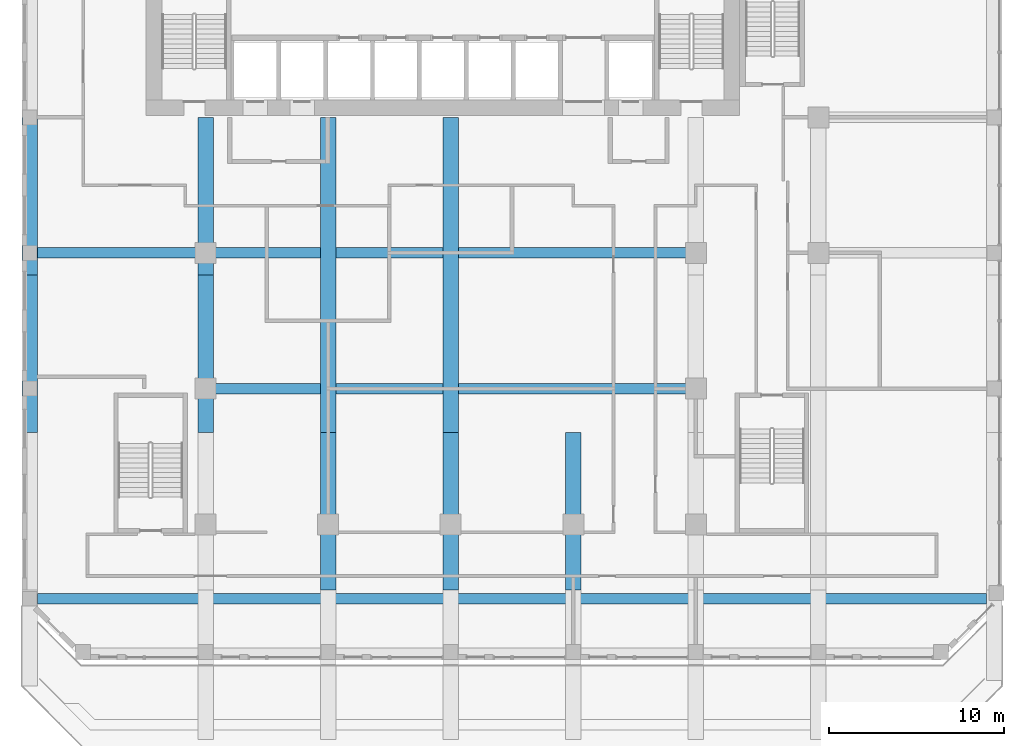
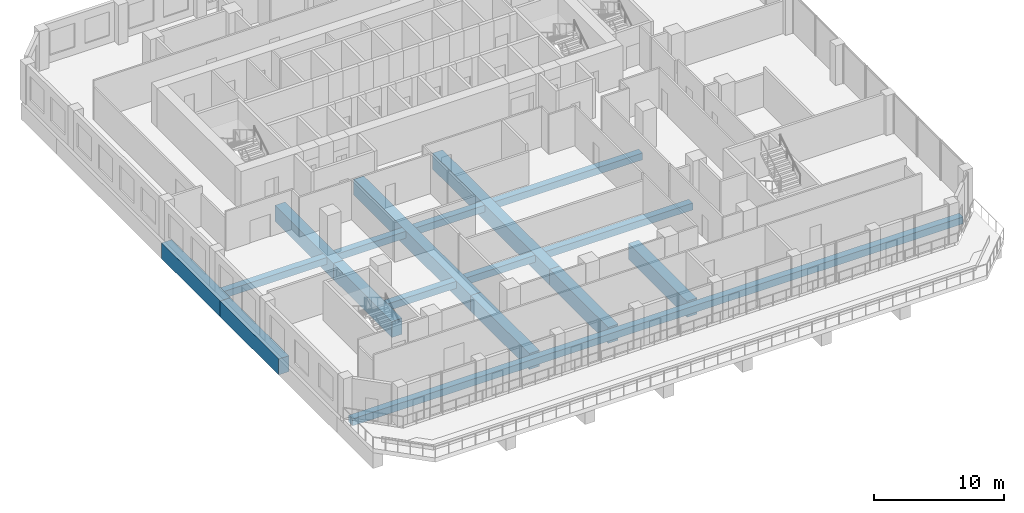
# One storey, part 3 of 17: 13 beams.
"""IFC4 building model written with IfcOpenShell, lengths in metres."""

from ifc_helpers import new_model, si_unit, direction, frame, origin, origin_2d, place, context, subcontext, project, spatial, rectangle, extrude, source, transform, mapped, material, material_profile, profile_set, type_object, element, save


model = new_model("IFC4")

# Units and contexts
model_context = context("Model", 3, precision=1e-05, world=origin(), true_north=direction((0.0, 1.0)))
body_context = subcontext(model_context, "Body", "Model", "MODEL_VIEW")
ifc_project = project(units=[si_unit("LENGTHUNIT", "METRE"), si_unit("AREAUNIT", "SQUARE_METRE"), si_unit("VOLUMEUNIT", "CUBIC_METRE"), si_unit("PLANEANGLEUNIT", "RADIAN"), si_unit("MASSUNIT", "GRAM", prefix="KILO")], contexts=[model_context])

# Site, building, storey
site_placement = place(None, origin())
site = spatial("IfcSite", under=ifc_project, at=site_placement, CompositionType="ELEMENT")
building_placement = place(site_placement, origin())
building = spatial("IfcBuilding", under=site, at=building_placement, Name="Kilnfold Tower and Market Hall", CompositionType="ELEMENT")
storey_placement = place(building_placement, frame((0.0, 0.0, 100.60009765625)))
storey = spatial("IfcBuildingStorey", under=building, at=storey_placement, Name="L23", CompositionType="ELEMENT", Elevation=100.60009765625)

# Beams
ifc_material_1 = material(Name="Concrete C45", Category="concrete")
ifc_material_profile_1 = material_profile(ifc_material_1, rectangle(XDim=0.60009765625, YDim=0.64990234375, at=origin_2d()), Name="RC 600x650")
ifc_profile_set_1 = profile_set([ifc_material_profile_1], Name="Concrete C45")
beam_type_1 = type_object("IfcBeamType", Name="BEAM 600X650 C45", PredefinedType="BEAM", material=ifc_profile_set_1)
shared_shape_1 = source(origin(), body_context, "Body", "SweptSolid", [
    extrude(rectangle(XDim=0.60009765625, YDim=0.64990234375, at=origin_2d()), origin(), (0.0, 0.0, 1.0), 54.2001953125),
])
beam_1_placement = place(storey_placement, frame((-22.10009765625, -19.5, -0.72509765625), z_axis=(1.0, 0.0, 0.0), x_axis=(0.0, 1.0, 0.0)))
element("IfcBeam", 1, at=beam_1_placement, inside=storey, type_object=beam_type_1, Name="Beam BB650-B3.44", PredefinedType="BEAM", context=body_context, shape_type="MappedRepresentation", body=[
    mapped(shared_shape_1, transform((0.0, 0.0, 0.0))),
])
ifc_material_2 = material(Name="Concrete C60", Category="concrete")
ifc_material_profile_2 = material_profile(ifc_material_2, rectangle(XDim=0.89990234375, YDim=1.5, at=origin_2d()), Name="RC 900x1500")
ifc_profile_set_2 = profile_set([ifc_material_profile_2], Name="Concrete C60")
beam_type_2 = type_object("IfcBeamType", Name="TRANSFER GIRDER 900X1500 C60", PredefinedType="BEAM", material=ifc_profile_set_2)
shared_shape_2 = source(origin(), body_context, "Body", "SweptSolid", [
    extrude(rectangle(XDim=0.89990234375, YDim=1.5, at=origin_2d()), origin(), (0.0, 0.0, 1.0), 9.0),
])
for number, where, z_axis, x_axis, name in (
    (2, (-22.550048828125, -10.0, -1.150146484375), (0.0, 1.0, 0.0), (-1.0, 0.0, 0.0), "Beam TG1500-B3.3"),
    (3, (-22.550048828125, -1.0, -1.150146484375), (0.0, 1.0, 0.0), (-1.0, 0.0, 0.0), "Beam TG1500-B3.4"),
    (4, (-12.5, -10.0, -1.150146484375), (0.0, 1.0, 0.0), (-1.0, 0.0, 0.0), "Beam TG1500-B3.9"),
    (5, (-12.5, -1.0, -1.150146484375), (0.0, 1.0, 0.0), (-1.0, 0.0, 0.0), "Beam TG1500-B3.10"),
    (6, (-5.5, -19.0, -1.150146484375), (0.0, 1.0, 0.0), (-1.0, 0.0, 0.0), "Beam TG1500-B3.13"),
    (7, (1.5, -19.0, -1.150146484375), (0.0, 1.0, 0.0), (-1.0, 0.0, 0.0), "Beam TG1500-B3.17"),
    (8, (8.5, -19.0, -1.150146484375), (0.0, 1.0, 0.0), (-1.0, 0.0, 0.0), "Beam TG1500-B3.21"),
):
    element("IfcBeam", number, at=place(storey_placement, frame(where, z_axis=z_axis, x_axis=x_axis)), inside=storey, type_object=beam_type_2, Name=name, PredefinedType="BEAM", context=body_context, shape_type="MappedRepresentation", body=[
        mapped(shared_shape_2, transform((0.0, 0.0, 0.0))),
    ])
shared_shape_3 = source(origin(), body_context, "Body", "SweptSolid", [
    extrude(rectangle(XDim=0.89990234375, YDim=1.5, at=origin_2d()), origin(), (0.0, 0.0, 1.0), 18.0),
])
for number, where, z_axis, x_axis, name in (
    (9, (-5.5, -10.0, -1.150146484375), (0.0, 1.0, 0.0), (-1.0, 0.0, 0.0), "Beam TG1500-B3.14"),
    (10, (1.5, -10.0, -1.150146484375), (0.0, 1.0, 0.0), (-1.0, 0.0, 0.0), "Beam TG1500-B3.18"),
):
    element("IfcBeam", number, at=place(storey_placement, frame(where, z_axis=z_axis, x_axis=x_axis)), inside=storey, type_object=beam_type_2, Name=name, PredefinedType="BEAM", context=body_context, shape_type="MappedRepresentation", body=[
        mapped(shared_shape_3, transform((0.0, 0.0, 0.0))),
    ])
shared_shape_4 = source(origin(), body_context, "Body", "SweptSolid", [
    extrude(rectangle(XDim=0.60009765625, YDim=0.64990234375, at=origin_2d()), origin(), (0.0, 0.0, 1.0), 27.10009765625),
])
for number, where, z_axis, x_axis, name in (
    (11, (-12.050048828125, -7.5, -0.72509765625), (1.0, 0.0, 0.0), (0.0, 1.0, 0.0), "Beam BB650-B3.45"),
    (12, (-12.050048828125, 0.25, -0.72509765625), (1.0, 0.0, 0.0), (0.0, 1.0, 0.0), "Beam BB650-B3.47"),
):
    element("IfcBeam", number, at=place(storey_placement, frame(where, z_axis=z_axis, x_axis=x_axis)), inside=storey, type_object=beam_type_1, Name=name, PredefinedType="BEAM", context=body_context, shape_type="MappedRepresentation", body=[
        mapped(shared_shape_4, transform((0.0, 0.0, 0.0))),
    ])
shared_shape_5 = source(origin(), body_context, "Body", "SweptSolid", [
    extrude(rectangle(XDim=0.60009765625, YDim=0.64990234375, at=origin_2d()), origin(), (0.0, 0.0, 1.0), 9.150146484375),
])
beam_2_placement = place(storey_placement, frame((-22.10009765625, 0.25, -0.72509765625), z_axis=(1.0, 0.0, 0.0), x_axis=(0.0, 1.0, 0.0)))
element("IfcBeam", 13, at=beam_2_placement, inside=storey, type_object=beam_type_1, Name="Beam BB650-B3.46", PredefinedType="BEAM", context=body_context, shape_type="MappedRepresentation", body=[
    mapped(shared_shape_5, transform((0.0, 0.0, 0.0))),
])

save(model, "model.ifc")
